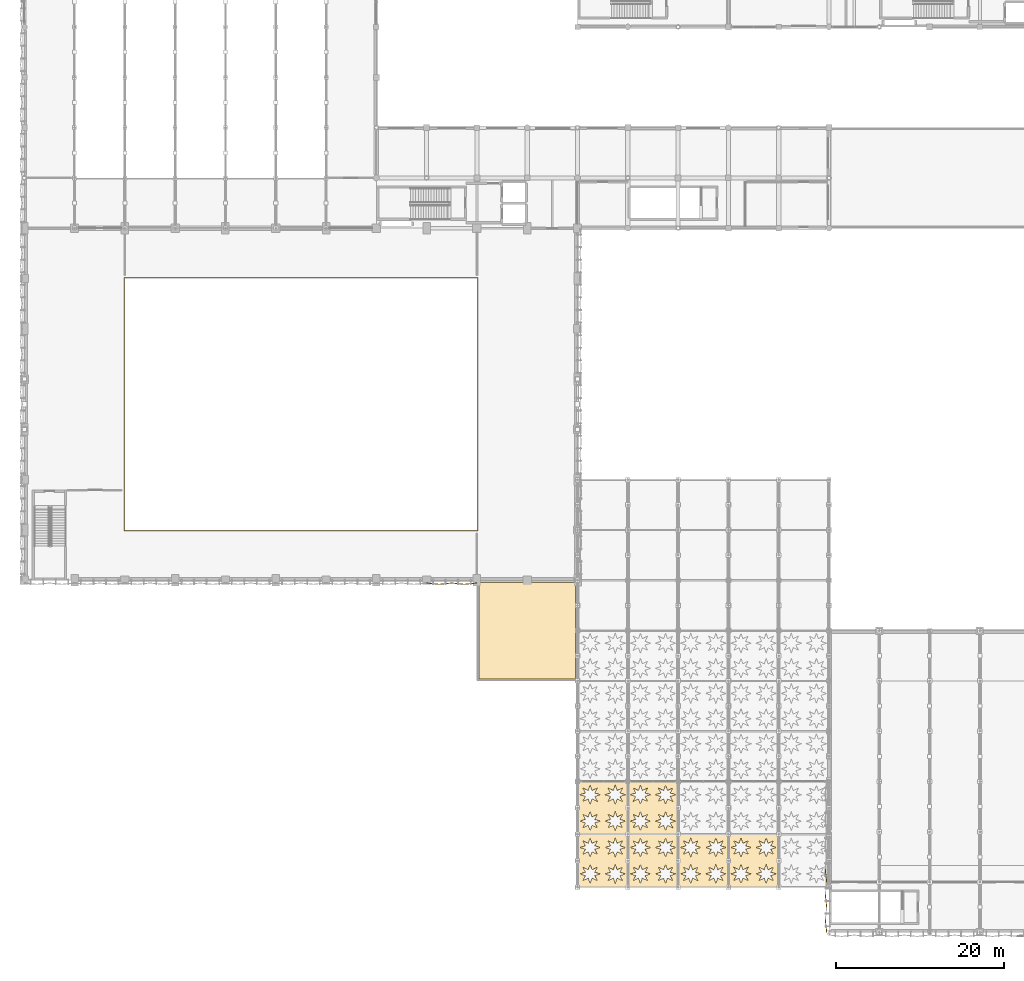
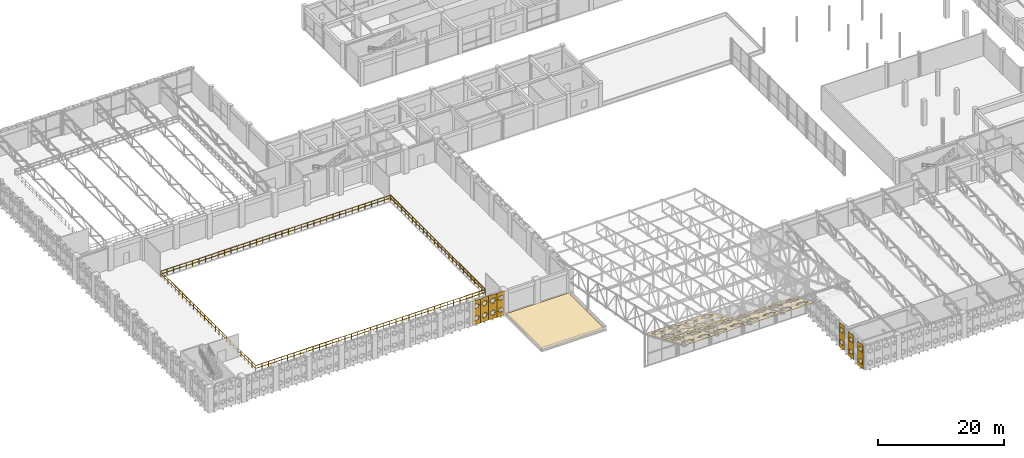
# One storey, part 115 of 123: 14 coverings, 1 railing.
"""IFC4 building model written with IfcOpenShell, lengths in metres."""

from ifc_helpers import new_model, si_unit, direction, frame, origin, origin_2d, place, context, subcontext, project, spatial, polyline, circle, outline, extrude, material, layer, layer_set, type_object, element, save


model = new_model("IFC4")

# Units and contexts
model_context = context("Model", 3, precision=1e-05, world=origin(), true_north=direction((0.0, 1.0)))
body_context = subcontext(model_context, "Body", "Model", "MODEL_VIEW")
ifc_project = project(units=[si_unit("LENGTHUNIT", "METRE"), si_unit("AREAUNIT", "SQUARE_METRE"), si_unit("VOLUMEUNIT", "CUBIC_METRE"), si_unit("PLANEANGLEUNIT", "RADIAN"), si_unit("MASSUNIT", "GRAM", prefix="KILO"), si_unit("THERMODYNAMICTEMPERATUREUNIT", "KELVIN"), si_unit("POWERUNIT", "WATT")], contexts=[model_context])

# Site, building, storey
site_placement = place(None, origin())
site = spatial("IfcSite", under=ifc_project, at=site_placement, CompositionType="ELEMENT")
building_placement = place(site_placement, origin())
building = spatial("IfcBuilding", under=site, at=building_placement, Name="Phaisarnlok Congress Hotel", CompositionType="ELEMENT")
storey_placement = place(building_placement, frame((0.0, 0.0, 15.0)))
storey = spatial("IfcBuildingStorey", under=building, at=storey_placement, Name="L03", CompositionType="ELEMENT", Elevation=15.0)

# Coverings
ifc_material_1 = material(Name="TPO Waterproofing Membrane & Rigid PIR Insulation", Category="other")
ifc_layer_1 = layer(ifc_material_1, 0.050048828125, Name="TPO Waterproofing Membrane & Rigid PIR Insulation")
ifc_layer_set_1 = layer_set([ifc_layer_1], Name="TPO Waterproofing Membrane & Rigid PIR Insulation")
covering_type_1 = type_object("IfcCoveringType", Name="COV-ROOF-MEMB", PredefinedType="ROOFING", material=ifc_layer_set_1)
covering_1_placement = place(storey_placement, origin())
element("IfcCovering", 1, at=covering_1_placement, inside=storey, type_object=covering_type_1, Name="Podium roof waterproofing membrane RF-01 (L03 pod_sem_sw)", PredefinedType="ROOFING", context=body_context, shape_type="SweptSolid", body=[
    extrude(outline(polyline([(54.25, 30.25), (65.75, 30.25), (65.75, 41.75), (54.25, 41.75), (54.25, 30.25)])), origin(), (0.0, 0.0, 1.0), 0.050048828125),
])
ifc_material_2 = material(Name="Perforated Acoustic Aluminium Soffit Panel", Category="aluminium")
ifc_layer_2 = layer(ifc_material_2, 0.044921875, Name="Perforated Acoustic Aluminium Soffit Panel")
ifc_layer_set_2 = layer_set([ifc_layer_2], Name="Perforated Acoustic Aluminium Soffit Panel")
covering_type_2 = type_object("IfcCoveringType", Name="COV-SOFFIT-STAR", PredefinedType="CLADDING", material=ifc_layer_set_2)
covering_2_placement = place(storey_placement, frame((66.0, 18.0, 6.419921875), z_axis=(0.0, -0.393940792404, -0.919135818081), x_axis=(1.0, 0.0, 0.0)))
element("IfcCovering", 2, at=covering_2_placement, inside=storey, type_object=covering_type_2, Name="South wing roof star-pierced acoustic soffit panel CL-01", PredefinedType="CLADDING", context=body_context, shape_type="SweptSolid", body=[
    extrude(outline(polyline([(0.0, 0.0), (6.0, 0.0), (6.0, 6.854317614643062), (0.0, 6.854317614643062), (0.0, 0.0)]), holes=[polyline([(2.0455, 1.4876), (2.3697, 0.8438), (1.7259, 1.1681), (1.5, 0.4835), (1.2741, 1.1681), (0.6303, 0.8438), (0.9545, 1.4876), (0.27, 1.7135), (0.9545, 1.9395), (0.6303, 2.5833), (1.2741, 2.259), (1.5, 2.9435), (1.7259, 2.259), (2.3697, 2.5833), (2.0455, 1.9395), (2.73, 1.7135), (2.0455, 1.4876)]), polyline([(2.0455, 4.9147), (2.3697, 4.2709), (1.7259, 4.5952), (1.5, 3.9106), (1.2741, 4.5952), (0.6303, 4.2709), (0.9545, 4.9147), (0.27, 5.1406), (0.9545, 5.3666), (0.6303, 6.0104), (1.2741, 5.6861), (1.5, 6.3706), (1.7259, 5.6861), (2.3697, 6.0104), (2.0455, 5.3666), (2.73, 5.1406), (2.0455, 4.9147)]), polyline([(5.0455, 1.4876), (5.3697, 0.8438), (4.7259, 1.1681), (4.5, 0.4835), (4.2741, 1.1681), (3.6303, 0.8438), (3.9545, 1.4876), (3.27, 1.7135), (3.9545, 1.9395), (3.6303, 2.5833), (4.2741, 2.259), (4.5, 2.9435), (4.7259, 2.259), (5.3697, 2.5833), (5.0455, 1.9395), (5.73, 1.7135), (5.0455, 1.4876)]), polyline([(5.0455, 4.9147), (5.3697, 4.2709), (4.7259, 4.5952), (4.5, 3.9106), (4.2741, 4.5952), (3.6303, 4.2709), (3.9545, 4.9147), (3.27, 5.1406), (3.9545, 5.3666), (3.6303, 6.0104), (4.2741, 5.6861), (4.5, 6.3706), (4.7259, 5.6861), (5.3697, 6.0104), (5.0455, 5.3666), (5.73, 5.1406), (5.0455, 4.9147)])]), origin(), (0.0, 0.0, 1.0), 0.044921875),
])
covering_3_placement = place(storey_placement, frame((66.0, 11.699951171875, 9.1201171875), z_axis=(0.0, -0.393910700868, -0.919148714704), x_axis=(1.0, 0.0, 0.0)))
element("IfcCovering", 3, at=covering_3_placement, inside=storey, type_object=covering_type_2, Name="South wing roof star-pierced acoustic soffit panel CL-01", PredefinedType="CLADDING", context=body_context, shape_type="SweptSolid", body=[
    extrude(outline(polyline([(0.0, 0.0), (6.0, 0.0), (6.0, 6.854221441365048), (0.0, 6.854221441365048), (0.0, 0.0)]), holes=[polyline([(2.0455, 1.4876), (2.3697, 0.8438), (1.7259, 1.1681), (1.5, 0.4835), (1.2741, 1.1681), (0.6303, 0.8438), (0.9545, 1.4876), (0.27, 1.7135), (0.9545, 1.9395), (0.6303, 2.5833), (1.2741, 2.259), (1.5, 2.9435), (1.7259, 2.259), (2.3697, 2.5833), (2.0455, 1.9395), (2.73, 1.7135), (2.0455, 1.4876)]), polyline([(2.0455, 4.9147), (2.3697, 4.2709), (1.7259, 4.5952), (1.5, 3.9106), (1.2741, 4.5952), (0.6303, 4.2709), (0.9545, 4.9147), (0.27, 5.1406), (0.9545, 5.3666), (0.6303, 6.0104), (1.2741, 5.6861), (1.5, 6.3706), (1.7259, 5.6861), (2.3697, 6.0104), (2.0455, 5.3666), (2.73, 5.1406), (2.0455, 4.9147)]), polyline([(5.0455, 1.4876), (5.3697, 0.8438), (4.7259, 1.1681), (4.5, 0.4835), (4.2741, 1.1681), (3.6303, 0.8438), (3.9545, 1.4876), (3.27, 1.7135), (3.9545, 1.9395), (3.6303, 2.5833), (4.2741, 2.259), (4.5, 2.9435), (4.7259, 2.259), (5.3697, 2.5833), (5.0455, 1.9395), (5.73, 1.7135), (5.0455, 1.4876)]), polyline([(5.0455, 4.9147), (5.3697, 4.2709), (4.7259, 4.5952), (4.5, 3.9106), (4.2741, 4.5952), (3.6303, 4.2709), (3.9545, 4.9147), (3.27, 5.1406), (3.9545, 5.3666), (3.6303, 6.0104), (4.2741, 5.6861), (4.5, 6.3706), (4.7259, 5.6861), (5.3697, 6.0104), (5.0455, 5.3666), (5.73, 5.1406), (5.0455, 4.9147)])]), origin(), (0.0, 0.0, 1.0), 0.044921875),
])
covering_4_placement = place(storey_placement, frame((72.0, 18.0, 6.419921875), z_axis=(0.0, -0.393940792404, -0.919135818081), x_axis=(1.0, 0.0, 0.0)))
element("IfcCovering", 4, at=covering_4_placement, inside=storey, type_object=covering_type_2, Name="South wing roof star-pierced acoustic soffit panel CL-01", PredefinedType="CLADDING", context=body_context, shape_type="SweptSolid", body=[
    extrude(outline(polyline([(0.0, 0.0), (6.0, 0.0), (6.0, 6.854317614643062), (0.0, 6.854317614643062), (0.0, 0.0)]), holes=[polyline([(2.0455, 1.4876), (2.3697, 0.8438), (1.7259, 1.1681), (1.5, 0.4835), (1.2741, 1.1681), (0.6303, 0.8438), (0.9545, 1.4876), (0.27, 1.7135), (0.9545, 1.9395), (0.6303, 2.5833), (1.2741, 2.259), (1.5, 2.9435), (1.7259, 2.259), (2.3697, 2.5833), (2.0455, 1.9395), (2.73, 1.7135), (2.0455, 1.4876)]), polyline([(2.0455, 4.9147), (2.3697, 4.2709), (1.7259, 4.5952), (1.5, 3.9106), (1.2741, 4.5952), (0.6303, 4.2709), (0.9545, 4.9147), (0.27, 5.1406), (0.9545, 5.3666), (0.6303, 6.0104), (1.2741, 5.6861), (1.5, 6.3706), (1.7259, 5.6861), (2.3697, 6.0104), (2.0455, 5.3666), (2.73, 5.1406), (2.0455, 4.9147)]), polyline([(5.0455, 1.4876), (5.3697, 0.8438), (4.7259, 1.1681), (4.5, 0.4835), (4.2741, 1.1681), (3.6303, 0.8438), (3.9545, 1.4876), (3.27, 1.7135), (3.9545, 1.9395), (3.6303, 2.5833), (4.2741, 2.259), (4.5, 2.9435), (4.7259, 2.259), (5.3697, 2.5833), (5.0455, 1.9395), (5.73, 1.7135), (5.0455, 1.4876)]), polyline([(5.0455, 4.9147), (5.3697, 4.2709), (4.7259, 4.5952), (4.5, 3.9106), (4.2741, 4.5952), (3.6303, 4.2709), (3.9545, 4.9147), (3.27, 5.1406), (3.9545, 5.3666), (3.6303, 6.0104), (4.2741, 5.6861), (4.5, 6.3706), (4.7259, 5.6861), (5.3697, 6.0104), (5.0455, 5.3666), (5.73, 5.1406), (5.0455, 4.9147)])]), origin(), (0.0, 0.0, 1.0), 0.044921875),
])
for number, where, z_axis, x_axis, name in (
    (5, (72.0, 11.699951171875, 9.1201171875), (0.0, -0.393910700868, -0.919148714704), (1.0, 0.0, 0.0), "South wing roof star-pierced acoustic soffit panel CL-01"),
    (6, (78.0, 11.699951171875, 9.1201171875), (0.0, -0.393910700868, -0.919148714704), (1.0, 0.0, 0.0), "South wing roof star-pierced acoustic soffit panel CL-01"),
    (7, (84.0, 11.699951171875, 9.1201171875), (0.0, -0.393910700868, -0.919148714704), (1.0, 0.0, 0.0), "South wing roof star-pierced acoustic soffit panel CL-01"),
):
    element("IfcCovering", number, at=place(storey_placement, frame(where, z_axis=z_axis, x_axis=x_axis)), inside=storey, type_object=covering_type_2, Name=name, PredefinedType="CLADDING", context=body_context, shape_type="SweptSolid", body=[
        extrude(outline(polyline([(0.0, 0.0), (6.0, 0.0), (6.0, 6.854221441365048), (0.0, 6.854221441365048), (0.0, 0.0)]), holes=[polyline([(2.0455, 1.4876), (2.3697, 0.8438), (1.7259, 1.1681), (1.5, 0.4835), (1.2741, 1.1681), (0.6303, 0.8438), (0.9545, 1.4876), (0.27, 1.7135), (0.9545, 1.9395), (0.6303, 2.5833), (1.2741, 2.259), (1.5, 2.9435), (1.7259, 2.259), (2.3697, 2.5833), (2.0455, 1.9395), (2.73, 1.7135), (2.0455, 1.4876)]), polyline([(2.0455, 4.9147), (2.3697, 4.2709), (1.7259, 4.5952), (1.5, 3.9106), (1.2741, 4.5952), (0.6303, 4.2709), (0.9545, 4.9147), (0.27, 5.1406), (0.9545, 5.3666), (0.6303, 6.0104), (1.2741, 5.6861), (1.5, 6.3706), (1.7259, 5.6861), (2.3697, 6.0104), (2.0455, 5.3666), (2.73, 5.1406), (2.0455, 4.9147)]), polyline([(5.0455, 1.4876), (5.3697, 0.8438), (4.7259, 1.1681), (4.5, 0.4835), (4.2741, 1.1681), (3.6303, 0.8438), (3.9545, 1.4876), (3.27, 1.7135), (3.9545, 1.9395), (3.6303, 2.5833), (4.2741, 2.259), (4.5, 2.9435), (4.7259, 2.259), (5.3697, 2.5833), (5.0455, 1.9395), (5.73, 1.7135), (5.0455, 1.4876)]), polyline([(5.0455, 4.9147), (5.3697, 4.2709), (4.7259, 4.5952), (4.5, 3.9106), (4.2741, 4.5952), (3.6303, 4.2709), (3.9545, 4.9147), (3.27, 5.1406), (3.9545, 5.3666), (3.6303, 6.0104), (4.2741, 5.6861), (4.5, 6.3706), (4.7259, 5.6861), (5.3697, 6.0104), (5.0455, 5.3666), (5.73, 5.1406), (5.0455, 4.9147)])]), origin(), (0.0, 0.0, 1.0), 0.044921875),
    ])
ifc_material_3 = material(Name="PVDF White Perforated Aluminium Alloy 5052", Category="aluminium")
ifc_layer_3 = layer(ifc_material_3, 0.0400390625, Name="PVDF White Perforated Aluminium Alloy 5052")
ifc_layer_set_3 = layer_set([ifc_layer_3], Name="PVDF White Perforated Aluminium Alloy 5052")
covering_type_3 = type_object("IfcCoveringType", Name="COV-STAR-FOLD", PredefinedType="CLADDING", material=ifc_layer_set_3)
for number, where, z_axis, x_axis, name in (
    (8, (48.0, 41.699951171875, 0.06005859375), (-0.104566819602, -0.994517863207, 0.0), (0.994517863207, -0.104566819602, 0.0), "Folded star-perforated hall screen SS-02 (V1S L03)"),
    (9, (49.5, 41.542236328125, 0.06005859375), (0.104566819602, -0.994517863207, 0.0), (0.994517863207, 0.104566819602, 0.0), "Folded star-perforated hall screen SS-02 (V1S L03)"),
    (10, (51.0, 41.699951171875, 0.06005859375), (-0.104566819602, -0.994517863207, 0.0), (0.994517863207, -0.104566819602, 0.0), "Folded star-perforated hall screen SS-02 (V1S L03)"),
    (11, (52.5, 41.542236328125, 0.06005859375), (0.104566819602, -0.994517863207, 0.0), (0.994517863207, 0.104566819602, 0.0), "Folded star-perforated hall screen SS-02 (V1S L03)"),
    (12, (95.699951171875, 0.0, 0.06005859375), (0.994517863207, 0.104566819602, 0.0), (-0.104566819602, 0.994517863207, 0.0), "Folded star-perforated hall screen SS-02 (V2W L03)"),
    (13, (95.699951171875, 3.0, 0.06005859375), (0.994517863207, 0.104566819602, 0.0), (-0.104566819602, 0.994517863207, 0.0), "Folded star-perforated hall screen SS-02 (V2W L03)"),
    (14, (95.699951171875, 6.0, 0.06005859375), (0.994517863207, 0.104566819602, 0.0), (-0.104566819602, 0.994517863207, 0.0), "Folded star-perforated hall screen SS-02 (V2W L03)"),
):
    element("IfcCovering", number, at=place(storey_placement, frame(where, z_axis=z_axis, x_axis=x_axis)), inside=storey, type_object=covering_type_3, Name=name, PredefinedType="CLADDING", context=body_context, shape_type="SweptSolid", body=[
        extrude(outline(polyline([(0.0, 0.0), (1.5082685344258453, 0.0), (1.5082685344258453, 4.659912109375), (0.0, 4.659912109375), (0.0, 0.0)]), holes=[polyline([(1.0351, 1.0486), (1.2021, 0.7171), (0.8705, 0.8841), (0.7541, 0.5315), (0.6378, 0.8841), (0.3062, 0.7171), (0.4732, 1.0486), (0.1207, 1.165), (0.4732, 1.2814), (0.3062, 1.6129), (0.6378, 1.4459), (0.7541, 1.7985), (0.8705, 1.4459), (1.2021, 1.6129), (1.0351, 1.2814), (1.3876, 1.165), (1.0351, 1.0486)]), polyline([(1.0351, 3.3786), (1.2021, 3.0471), (0.8705, 3.2141), (0.7541, 2.8615), (0.6378, 3.2141), (0.3062, 3.0471), (0.4732, 3.3786), (0.1207, 3.495), (0.4732, 3.6114), (0.3062, 3.9429), (0.6378, 3.7759), (0.7541, 4.1285), (0.8705, 3.7759), (1.2021, 3.9429), (1.0351, 3.6114), (1.3876, 3.495), (1.0351, 3.3786)])]), origin(), (0.0, 0.0, 1.0), 0.0400390625),
    ])

# Railing
ifc_material_4 = material(Name="Laminated Glass & Stainless Steel Grade 316", Category="steel")
railing_type = type_object("IfcRailingType", Name="RLG-INT-1100", PredefinedType="BALUSTRADE", material=ifc_material_4)
railing_placement = place(storey_placement, frame((54.080078125, 47.919921875, 0.0)))
element("IfcRailing", 15, at=railing_placement, inside=storey, type_object=railing_type, Name="Atrium gallery guard balustrade GD-02 (L03 v1)", PredefinedType="BALUSTRADE", context=body_context, shape_type="SweptSolid", body=[
    extrude(circle(Radius=0.02392578125, at=origin_2d()), frame((0.0, 0.0, 1.076171875), z_axis=(0.0, 1.0, 0.0), x_axis=(-1.0, 0.0, 0.0)), (0.0, 0.0, 1.0), 30.16015625),
    extrude(circle(Radius=0.02392578125, at=origin_2d()), frame((0.0, 0.0, 0.52587890625), z_axis=(0.0, 1.0, 0.0), x_axis=(-1.0, 0.0, 0.0)), (0.0, 0.0, 1.0), 30.16015625),
    extrude(circle(Radius=0.02392578125, at=origin_2d()), frame((0.0, 30.16015625, 1.076171875), z_axis=(-1.0, 0.0, 0.0), x_axis=(0.0, -1.0, 0.0)), (0.0, 0.0, 1.0), 42.16015625),
    extrude(circle(Radius=0.02392578125, at=origin_2d()), frame((0.0, 30.16015625, 0.52587890625), z_axis=(-1.0, 0.0, 0.0), x_axis=(0.0, -1.0, 0.0)), (0.0, 0.0, 1.0), 42.16015625),
    extrude(circle(Radius=0.02392578125, at=origin_2d()), frame((-42.16015625, 30.16015625, 1.076171875), z_axis=(0.0, -1.0, 0.0), x_axis=(1.0, 0.0, 0.0)), (0.0, 0.0, 1.0), 30.16015625),
    extrude(circle(Radius=0.02392578125, at=origin_2d()), frame((-42.16015625, 30.16015625, 0.52587890625), z_axis=(0.0, -1.0, 0.0), x_axis=(1.0, 0.0, 0.0)), (0.0, 0.0, 1.0), 30.16015625),
    extrude(circle(Radius=0.02392578125, at=origin_2d()), frame((-42.16015625, 0.0, 1.076171875), z_axis=(1.0, 0.0, 0.0), x_axis=(0.0, 1.0, 0.0)), (0.0, 0.0, 1.0), 42.16015625),
    extrude(circle(Radius=0.02392578125, at=origin_2d()), frame((-42.16015625, 0.0, 0.52587890625), z_axis=(1.0, 0.0, 0.0), x_axis=(0.0, 1.0, 0.0)), (0.0, 0.0, 1.0), 42.16015625),
    extrude(circle(Radius=0.02099609375, at=origin_2d()), origin(), (0.0, 0.0, 1.0), 1.052001953125),
    extrude(circle(Radius=0.02099609375, at=origin_2d()), frame((0.0, 1.159912109375, 0.0)), (0.0, 0.0, 1.0), 1.052001953125),
    extrude(circle(Radius=0.02099609375, at=origin_2d()), frame((0.0, 2.320068359375, 0.0)), (0.0, 0.0, 1.0), 1.052001953125),
    extrude(circle(Radius=0.02099609375, at=origin_2d()), frame((0.0, 3.47998046875, 0.0)), (0.0, 0.0, 1.0), 1.052001953125),
    extrude(circle(Radius=0.02099609375, at=origin_2d()), frame((0.0, 4.64013671875, 0.0)), (0.0, 0.0, 1.0), 1.052001953125),
    extrude(circle(Radius=0.02099609375, at=origin_2d()), frame((0.0, 5.800048828125, 0.0)), (0.0, 0.0, 1.0), 1.052001953125),
    extrude(circle(Radius=0.02099609375, at=origin_2d()), frame((0.0, 6.9599609375, 0.0)), (0.0, 0.0, 1.0), 1.052001953125),
    extrude(circle(Radius=0.02099609375, at=origin_2d()), frame((0.0, 8.1201171875, 0.0)), (0.0, 0.0, 1.0), 1.052001953125),
    extrude(circle(Radius=0.02099609375, at=origin_2d()), frame((0.0, 9.280029296875, 0.0)), (0.0, 0.0, 1.0), 1.052001953125),
    extrude(circle(Radius=0.02099609375, at=origin_2d()), frame((0.0, 10.43994140625, 0.0)), (0.0, 0.0, 1.0), 1.052001953125),
    extrude(circle(Radius=0.02099609375, at=origin_2d()), frame((0.0, 11.60009765625, 0.0)), (0.0, 0.0, 1.0), 1.052001953125),
    extrude(circle(Radius=0.02099609375, at=origin_2d()), frame((0.0, 12.760009765625, 0.0)), (0.0, 0.0, 1.0), 1.052001953125),
    extrude(circle(Radius=0.02099609375, at=origin_2d()), frame((0.0, 13.920166015625, 0.0)), (0.0, 0.0, 1.0), 1.052001953125),
    extrude(circle(Radius=0.02099609375, at=origin_2d()), frame((0.0, 15.080078125, 0.0)), (0.0, 0.0, 1.0), 1.052001953125),
    extrude(circle(Radius=0.02099609375, at=origin_2d()), frame((0.0, 16.239990234375, 0.0)), (0.0, 0.0, 1.0), 1.052001953125),
    extrude(circle(Radius=0.02099609375, at=origin_2d()), frame((0.0, 17.400146484375, 0.0)), (0.0, 0.0, 1.0), 1.052001953125),
    extrude(circle(Radius=0.02099609375, at=origin_2d()), frame((0.0, 18.56005859375, 0.0)), (0.0, 0.0, 1.0), 1.052001953125),
    extrude(circle(Radius=0.02099609375, at=origin_2d()), frame((0.0, 19.72021484375, 0.0)), (0.0, 0.0, 1.0), 1.052001953125),
    extrude(circle(Radius=0.02099609375, at=origin_2d()), frame((0.0, 20.880126953125, 0.0)), (0.0, 0.0, 1.0), 1.052001953125),
    extrude(circle(Radius=0.02099609375, at=origin_2d()), frame((0.0, 22.0400390625, 0.0)), (0.0, 0.0, 1.0), 1.052001953125),
    extrude(circle(Radius=0.02099609375, at=origin_2d()), frame((0.0, 23.2001953125, 0.0)), (0.0, 0.0, 1.0), 1.052001953125),
    extrude(circle(Radius=0.02099609375, at=origin_2d()), frame((0.0, 24.360107421875, 0.0)), (0.0, 0.0, 1.0), 1.052001953125),
    extrude(circle(Radius=0.02099609375, at=origin_2d()), frame((0.0, 25.52001953125, 0.0)), (0.0, 0.0, 1.0), 1.052001953125),
    extrude(circle(Radius=0.02099609375, at=origin_2d()), frame((0.0, 26.68017578125, 0.0)), (0.0, 0.0, 1.0), 1.052001953125),
    extrude(circle(Radius=0.02099609375, at=origin_2d()), frame((0.0, 27.840087890625, 0.0)), (0.0, 0.0, 1.0), 1.052001953125),
    extrude(circle(Radius=0.02099609375, at=origin_2d()), frame((0.0, 29.000244140625, 0.0)), (0.0, 0.0, 1.0), 1.052001953125),
    extrude(circle(Radius=0.02099609375, at=origin_2d()), frame((0.0, 30.16015625, 0.0)), (0.0, 0.0, 1.0), 1.052001953125),
    extrude(circle(Radius=0.02099609375, at=origin_2d()), frame((-1.171142578125, 30.16015625, 0.0)), (0.0, 0.0, 1.0), 1.052001953125),
    extrude(circle(Radius=0.02099609375, at=origin_2d()), frame((-2.34228515625, 30.16015625, 0.0)), (0.0, 0.0, 1.0), 1.052001953125),
    extrude(circle(Radius=0.02099609375, at=origin_2d()), frame((-3.513427734375, 30.16015625, 0.0)), (0.0, 0.0, 1.0), 1.052001953125),
    extrude(circle(Radius=0.02099609375, at=origin_2d()), frame((-4.6845703125, 30.16015625, 0.0)), (0.0, 0.0, 1.0), 1.052001953125),
    extrude(circle(Radius=0.02099609375, at=origin_2d()), frame((-5.85546875, 30.16015625, 0.0)), (0.0, 0.0, 1.0), 1.052001953125),
    extrude(circle(Radius=0.02099609375, at=origin_2d()), frame((-7.026611328125, 30.16015625, 0.0)), (0.0, 0.0, 1.0), 1.052001953125),
    extrude(circle(Radius=0.02099609375, at=origin_2d()), frame((-8.19775390625, 30.16015625, 0.0)), (0.0, 0.0, 1.0), 1.052001953125),
    extrude(circle(Radius=0.02099609375, at=origin_2d()), frame((-9.368896484375, 30.16015625, 0.0)), (0.0, 0.0, 1.0), 1.052001953125),
    extrude(circle(Radius=0.02099609375, at=origin_2d()), frame((-10.5400390625, 30.16015625, 0.0)), (0.0, 0.0, 1.0), 1.052001953125),
    extrude(circle(Radius=0.02099609375, at=origin_2d()), frame((-11.711181640625, 30.16015625, 0.0)), (0.0, 0.0, 1.0), 1.052001953125),
    extrude(circle(Radius=0.02099609375, at=origin_2d()), frame((-12.88232421875, 30.16015625, 0.0)), (0.0, 0.0, 1.0), 1.052001953125),
    extrude(circle(Radius=0.02099609375, at=origin_2d()), frame((-14.053466796875, 30.16015625, 0.0)), (0.0, 0.0, 1.0), 1.052001953125),
    extrude(circle(Radius=0.02099609375, at=origin_2d()), frame((-15.224609375, 30.16015625, 0.0)), (0.0, 0.0, 1.0), 1.052001953125),
    extrude(circle(Radius=0.02099609375, at=origin_2d()), frame((-16.3955078125, 30.16015625, 0.0)), (0.0, 0.0, 1.0), 1.052001953125),
    extrude(circle(Radius=0.02099609375, at=origin_2d()), frame((-17.566650390625, 30.16015625, 0.0)), (0.0, 0.0, 1.0), 1.052001953125),
    extrude(circle(Radius=0.02099609375, at=origin_2d()), frame((-18.73779296875, 30.16015625, 0.0)), (0.0, 0.0, 1.0), 1.052001953125),
    extrude(circle(Radius=0.02099609375, at=origin_2d()), frame((-19.908935546875, 30.16015625, 0.0)), (0.0, 0.0, 1.0), 1.052001953125),
    extrude(circle(Radius=0.02099609375, at=origin_2d()), frame((-21.080078125, 30.16015625, 0.0)), (0.0, 0.0, 1.0), 1.052001953125),
    extrude(circle(Radius=0.02099609375, at=origin_2d()), frame((-22.251220703125, 30.16015625, 0.0)), (0.0, 0.0, 1.0), 1.052001953125),
    extrude(circle(Radius=0.02099609375, at=origin_2d()), frame((-23.42236328125, 30.16015625, 0.0)), (0.0, 0.0, 1.0), 1.052001953125),
    extrude(circle(Radius=0.02099609375, at=origin_2d()), frame((-24.593505859375, 30.16015625, 0.0)), (0.0, 0.0, 1.0), 1.052001953125),
    extrude(circle(Radius=0.02099609375, at=origin_2d()), frame((-25.7646484375, 30.16015625, 0.0)), (0.0, 0.0, 1.0), 1.052001953125),
    extrude(circle(Radius=0.02099609375, at=origin_2d()), frame((-26.935546875, 30.16015625, 0.0)), (0.0, 0.0, 1.0), 1.052001953125),
    extrude(circle(Radius=0.02099609375, at=origin_2d()), frame((-28.106689453125, 30.16015625, 0.0)), (0.0, 0.0, 1.0), 1.052001953125),
    extrude(circle(Radius=0.02099609375, at=origin_2d()), frame((-29.27783203125, 30.16015625, 0.0)), (0.0, 0.0, 1.0), 1.052001953125),
    extrude(circle(Radius=0.02099609375, at=origin_2d()), frame((-30.448974609375, 30.16015625, 0.0)), (0.0, 0.0, 1.0), 1.052001953125),
    extrude(circle(Radius=0.02099609375, at=origin_2d()), frame((-31.6201171875, 30.16015625, 0.0)), (0.0, 0.0, 1.0), 1.052001953125),
    extrude(circle(Radius=0.02099609375, at=origin_2d()), frame((-32.791259765625, 30.16015625, 0.0)), (0.0, 0.0, 1.0), 1.052001953125),
    extrude(circle(Radius=0.02099609375, at=origin_2d()), frame((-33.96240234375, 30.16015625, 0.0)), (0.0, 0.0, 1.0), 1.052001953125),
    extrude(circle(Radius=0.02099609375, at=origin_2d()), frame((-35.133544921875, 30.16015625, 0.0)), (0.0, 0.0, 1.0), 1.052001953125),
    extrude(circle(Radius=0.02099609375, at=origin_2d()), frame((-36.3046875, 30.16015625, 0.0)), (0.0, 0.0, 1.0), 1.052001953125),
    extrude(circle(Radius=0.02099609375, at=origin_2d()), frame((-37.4755859375, 30.16015625, 0.0)), (0.0, 0.0, 1.0), 1.052001953125),
    extrude(circle(Radius=0.02099609375, at=origin_2d()), frame((-38.646728515625, 30.16015625, 0.0)), (0.0, 0.0, 1.0), 1.052001953125),
    extrude(circle(Radius=0.02099609375, at=origin_2d()), frame((-39.81787109375, 30.16015625, 0.0)), (0.0, 0.0, 1.0), 1.052001953125),
    extrude(circle(Radius=0.02099609375, at=origin_2d()), frame((-40.989013671875, 30.16015625, 0.0)), (0.0, 0.0, 1.0), 1.052001953125),
    extrude(circle(Radius=0.02099609375, at=origin_2d()), frame((-42.16015625, 30.16015625, 0.0)), (0.0, 0.0, 1.0), 1.052001953125),
    extrude(circle(Radius=0.02099609375, at=origin_2d()), frame((-42.16015625, 29.000244140625, 0.0)), (0.0, 0.0, 1.0), 1.052001953125),
    extrude(circle(Radius=0.02099609375, at=origin_2d()), frame((-42.16015625, 27.840087890625, 0.0)), (0.0, 0.0, 1.0), 1.052001953125),
    extrude(circle(Radius=0.02099609375, at=origin_2d()), frame((-42.16015625, 26.68017578125, 0.0)), (0.0, 0.0, 1.0), 1.052001953125),
    extrude(circle(Radius=0.02099609375, at=origin_2d()), frame((-42.16015625, 25.52001953125, 0.0)), (0.0, 0.0, 1.0), 1.052001953125),
    extrude(circle(Radius=0.02099609375, at=origin_2d()), frame((-42.16015625, 24.360107421875, 0.0)), (0.0, 0.0, 1.0), 1.052001953125),
    extrude(circle(Radius=0.02099609375, at=origin_2d()), frame((-42.16015625, 23.2001953125, 0.0)), (0.0, 0.0, 1.0), 1.052001953125),
    extrude(circle(Radius=0.02099609375, at=origin_2d()), frame((-42.16015625, 22.0400390625, 0.0)), (0.0, 0.0, 1.0), 1.052001953125),
    extrude(circle(Radius=0.02099609375, at=origin_2d()), frame((-42.16015625, 20.880126953125, 0.0)), (0.0, 0.0, 1.0), 1.052001953125),
    extrude(circle(Radius=0.02099609375, at=origin_2d()), frame((-42.16015625, 19.72021484375, 0.0)), (0.0, 0.0, 1.0), 1.052001953125),
    extrude(circle(Radius=0.02099609375, at=origin_2d()), frame((-42.16015625, 18.56005859375, 0.0)), (0.0, 0.0, 1.0), 1.052001953125),
    extrude(circle(Radius=0.02099609375, at=origin_2d()), frame((-42.16015625, 17.400146484375, 0.0)), (0.0, 0.0, 1.0), 1.052001953125),
    extrude(circle(Radius=0.02099609375, at=origin_2d()), frame((-42.16015625, 16.239990234375, 0.0)), (0.0, 0.0, 1.0), 1.052001953125),
    extrude(circle(Radius=0.02099609375, at=origin_2d()), frame((-42.16015625, 15.080078125, 0.0)), (0.0, 0.0, 1.0), 1.052001953125),
    extrude(circle(Radius=0.02099609375, at=origin_2d()), frame((-42.16015625, 13.920166015625, 0.0)), (0.0, 0.0, 1.0), 1.052001953125),
    extrude(circle(Radius=0.02099609375, at=origin_2d()), frame((-42.16015625, 12.760009765625, 0.0)), (0.0, 0.0, 1.0), 1.052001953125),
    extrude(circle(Radius=0.02099609375, at=origin_2d()), frame((-42.16015625, 11.60009765625, 0.0)), (0.0, 0.0, 1.0), 1.052001953125),
    extrude(circle(Radius=0.02099609375, at=origin_2d()), frame((-42.16015625, 10.43994140625, 0.0)), (0.0, 0.0, 1.0), 1.052001953125),
    extrude(circle(Radius=0.02099609375, at=origin_2d()), frame((-42.16015625, 9.280029296875, 0.0)), (0.0, 0.0, 1.0), 1.052001953125),
    extrude(circle(Radius=0.02099609375, at=origin_2d()), frame((-42.16015625, 8.1201171875, 0.0)), (0.0, 0.0, 1.0), 1.052001953125),
    extrude(circle(Radius=0.02099609375, at=origin_2d()), frame((-42.16015625, 6.9599609375, 0.0)), (0.0, 0.0, 1.0), 1.052001953125),
    extrude(circle(Radius=0.02099609375, at=origin_2d()), frame((-42.16015625, 5.800048828125, 0.0)), (0.0, 0.0, 1.0), 1.052001953125),
    extrude(circle(Radius=0.02099609375, at=origin_2d()), frame((-42.16015625, 4.64013671875, 0.0)), (0.0, 0.0, 1.0), 1.052001953125),
    extrude(circle(Radius=0.02099609375, at=origin_2d()), frame((-42.16015625, 3.47998046875, 0.0)), (0.0, 0.0, 1.0), 1.052001953125),
    extrude(circle(Radius=0.02099609375, at=origin_2d()), frame((-42.16015625, 2.320068359375, 0.0)), (0.0, 0.0, 1.0), 1.052001953125),
    extrude(circle(Radius=0.02099609375, at=origin_2d()), frame((-42.16015625, 1.159912109375, 0.0)), (0.0, 0.0, 1.0), 1.052001953125),
    extrude(circle(Radius=0.02099609375, at=origin_2d()), frame((-42.16015625, 0.0, 0.0)), (0.0, 0.0, 1.0), 1.052001953125),
    extrude(circle(Radius=0.02099609375, at=origin_2d()), frame((-40.989013671875, 0.0, 0.0)), (0.0, 0.0, 1.0), 1.052001953125),
    extrude(circle(Radius=0.02099609375, at=origin_2d()), frame((-39.81787109375, 0.0, 0.0)), (0.0, 0.0, 1.0), 1.052001953125),
    extrude(circle(Radius=0.02099609375, at=origin_2d()), frame((-38.646728515625, 0.0, 0.0)), (0.0, 0.0, 1.0), 1.052001953125),
    extrude(circle(Radius=0.02099609375, at=origin_2d()), frame((-37.4755859375, 0.0, 0.0)), (0.0, 0.0, 1.0), 1.052001953125),
    extrude(circle(Radius=0.02099609375, at=origin_2d()), frame((-36.3046875, 0.0, 0.0)), (0.0, 0.0, 1.0), 1.052001953125),
    extrude(circle(Radius=0.02099609375, at=origin_2d()), frame((-35.133544921875, 0.0, 0.0)), (0.0, 0.0, 1.0), 1.052001953125),
    extrude(circle(Radius=0.02099609375, at=origin_2d()), frame((-33.96240234375, 0.0, 0.0)), (0.0, 0.0, 1.0), 1.052001953125),
    extrude(circle(Radius=0.02099609375, at=origin_2d()), frame((-32.791259765625, 0.0, 0.0)), (0.0, 0.0, 1.0), 1.052001953125),
    extrude(circle(Radius=0.02099609375, at=origin_2d()), frame((-31.6201171875, 0.0, 0.0)), (0.0, 0.0, 1.0), 1.052001953125),
    extrude(circle(Radius=0.02099609375, at=origin_2d()), frame((-30.448974609375, 0.0, 0.0)), (0.0, 0.0, 1.0), 1.052001953125),
    extrude(circle(Radius=0.02099609375, at=origin_2d()), frame((-29.27783203125, 0.0, 0.0)), (0.0, 0.0, 1.0), 1.052001953125),
    extrude(circle(Radius=0.02099609375, at=origin_2d()), frame((-28.106689453125, 0.0, 0.0)), (0.0, 0.0, 1.0), 1.052001953125),
    extrude(circle(Radius=0.02099609375, at=origin_2d()), frame((-26.935546875, 0.0, 0.0)), (0.0, 0.0, 1.0), 1.052001953125),
    extrude(circle(Radius=0.02099609375, at=origin_2d()), frame((-25.7646484375, 0.0, 0.0)), (0.0, 0.0, 1.0), 1.052001953125),
    extrude(circle(Radius=0.02099609375, at=origin_2d()), frame((-24.593505859375, 0.0, 0.0)), (0.0, 0.0, 1.0), 1.052001953125),
    extrude(circle(Radius=0.02099609375, at=origin_2d()), frame((-23.42236328125, 0.0, 0.0)), (0.0, 0.0, 1.0), 1.052001953125),
    extrude(circle(Radius=0.02099609375, at=origin_2d()), frame((-22.251220703125, 0.0, 0.0)), (0.0, 0.0, 1.0), 1.052001953125),
    extrude(circle(Radius=0.02099609375, at=origin_2d()), frame((-21.080078125, 0.0, 0.0)), (0.0, 0.0, 1.0), 1.052001953125),
    extrude(circle(Radius=0.02099609375, at=origin_2d()), frame((-19.908935546875, 0.0, 0.0)), (0.0, 0.0, 1.0), 1.052001953125),
    extrude(circle(Radius=0.02099609375, at=origin_2d()), frame((-18.73779296875, 0.0, 0.0)), (0.0, 0.0, 1.0), 1.052001953125),
    extrude(circle(Radius=0.02099609375, at=origin_2d()), frame((-17.566650390625, 0.0, 0.0)), (0.0, 0.0, 1.0), 1.052001953125),
    extrude(circle(Radius=0.02099609375, at=origin_2d()), frame((-16.3955078125, 0.0, 0.0)), (0.0, 0.0, 1.0), 1.052001953125),
    extrude(circle(Radius=0.02099609375, at=origin_2d()), frame((-15.224609375, 0.0, 0.0)), (0.0, 0.0, 1.0), 1.052001953125),
    extrude(circle(Radius=0.02099609375, at=origin_2d()), frame((-14.053466796875, 0.0, 0.0)), (0.0, 0.0, 1.0), 1.052001953125),
    extrude(circle(Radius=0.02099609375, at=origin_2d()), frame((-12.88232421875, 0.0, 0.0)), (0.0, 0.0, 1.0), 1.052001953125),
    extrude(circle(Radius=0.02099609375, at=origin_2d()), frame((-11.711181640625, 0.0, 0.0)), (0.0, 0.0, 1.0), 1.052001953125),
    extrude(circle(Radius=0.02099609375, at=origin_2d()), frame((-10.5400390625, 0.0, 0.0)), (0.0, 0.0, 1.0), 1.052001953125),
    extrude(circle(Radius=0.02099609375, at=origin_2d()), frame((-9.368896484375, 0.0, 0.0)), (0.0, 0.0, 1.0), 1.052001953125),
    extrude(circle(Radius=0.02099609375, at=origin_2d()), frame((-8.19775390625, 0.0, 0.0)), (0.0, 0.0, 1.0), 1.052001953125),
    extrude(circle(Radius=0.02099609375, at=origin_2d()), frame((-7.026611328125, 0.0, 0.0)), (0.0, 0.0, 1.0), 1.052001953125),
    extrude(circle(Radius=0.02099609375, at=origin_2d()), frame((-5.85546875, 0.0, 0.0)), (0.0, 0.0, 1.0), 1.052001953125),
    extrude(circle(Radius=0.02099609375, at=origin_2d()), frame((-4.6845703125, 0.0, 0.0)), (0.0, 0.0, 1.0), 1.052001953125),
    extrude(circle(Radius=0.02099609375, at=origin_2d()), frame((-3.513427734375, 0.0, 0.0)), (0.0, 0.0, 1.0), 1.052001953125),
    extrude(circle(Radius=0.02099609375, at=origin_2d()), frame((-2.34228515625, 0.0, 0.0)), (0.0, 0.0, 1.0), 1.052001953125),
    extrude(circle(Radius=0.02099609375, at=origin_2d()), frame((-1.171142578125, 0.0, 0.0)), (0.0, 0.0, 1.0), 1.052001953125),
])

save(model, "model.ifc")
